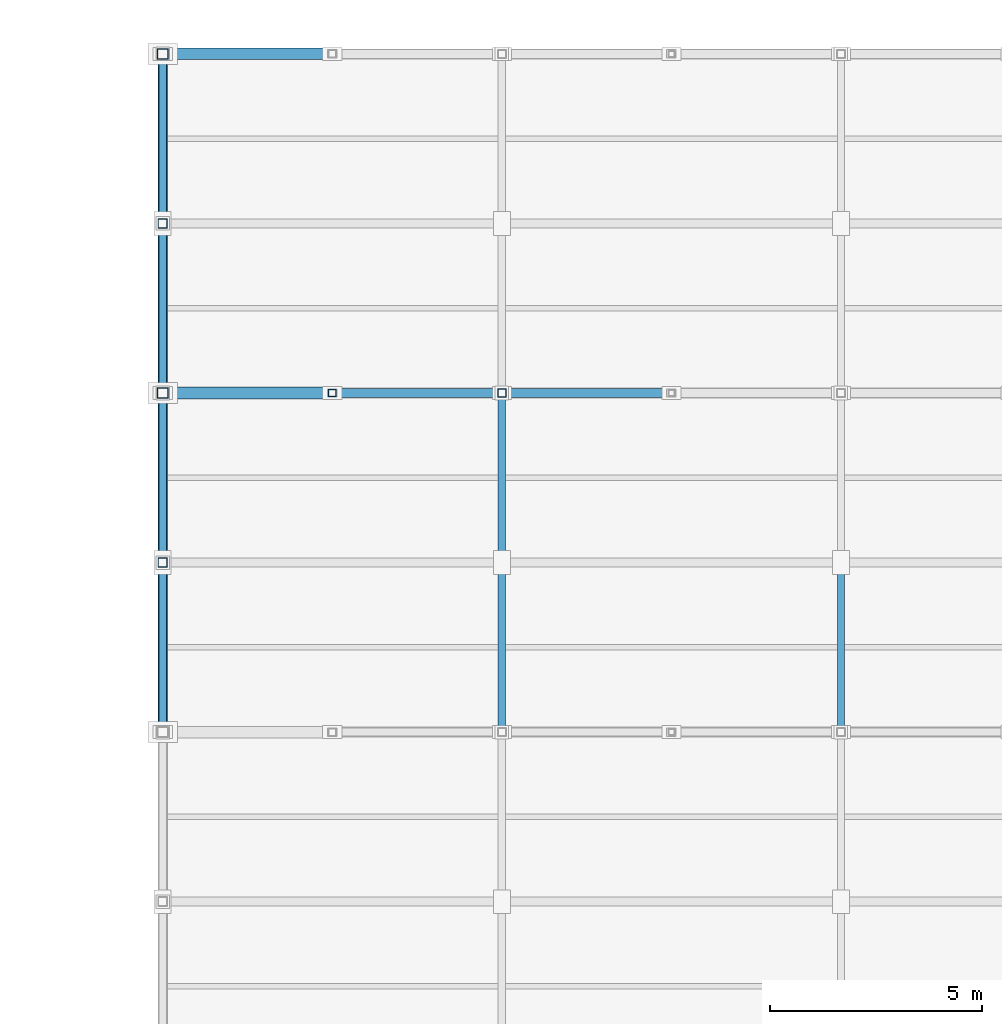
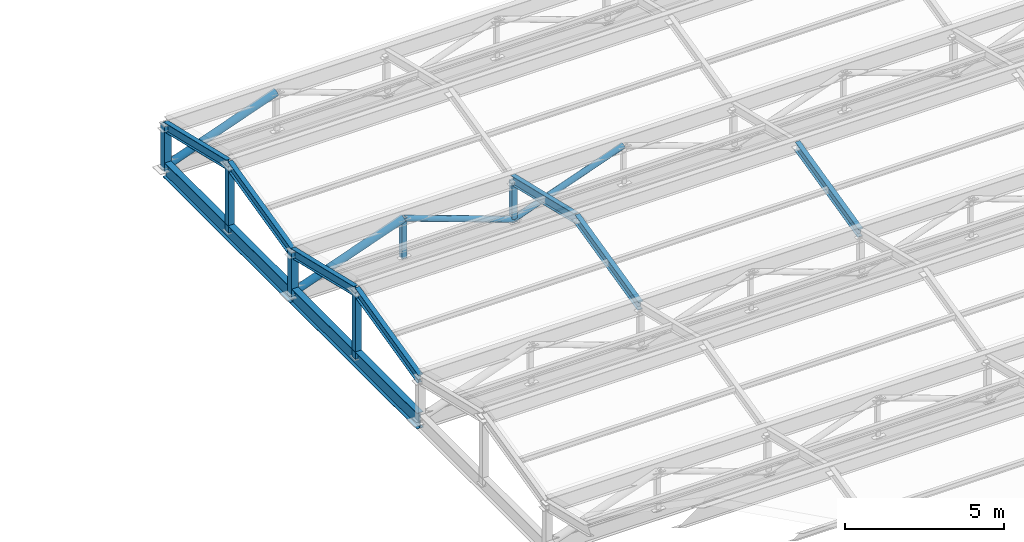
# One storey, part 57 of 112: 19 members.
"""IFC4 building model written with IfcOpenShell, lengths in metres."""

import ifcopenshell
import ifcopenshell.guid

model = None  # the IFC model being written
_history = None  # IfcOwnerHistory: only IFC2X3 demands one
_inside = {}  # id of a spatial element -> (the spatial element, [elements in it])
_under = {}  # id of a project, library or spatial element -> (it, [spatial elements below it])
_declared = {}  # id of a project -> (the project, [libraries it declares])
_typed = {}  # id of a type object -> (the type object, [elements of that type])
_made_of = {}  # id of a material, layer set ... -> (it, [elements and type objects made of it])


def new_model(schema):
    """Start an empty IFC model of exactly this schema.

    Asked for "IFC4X3", IfcOpenShell would pick the latest addendum, in which some entities
    have other attributes; the version numbers below select the first issue.
    IFC2X3 requires an IfcOwnerHistory on every rooted entity: one is made here for all.
    """
    global model, _history
    if schema == "IFC4X3":
        model = ifcopenshell.file(schema_version=(4, 3, 0, 0))
    else:
        model = ifcopenshell.file(schema=schema)
    _inside.clear()
    _under.clear()
    _declared.clear()
    _typed.clear()
    _made_of.clear()
    _history = None
    if model.schema == "IFC2X3":
        org = make("IfcOrganization", Name="unknown")
        user = make(
            "IfcPersonAndOrganization",
            ThePerson=make("IfcPerson", FamilyName="unknown"),
            TheOrganization=org,
        )
        app = make(
            "IfcApplication",
            ApplicationDeveloper=org,
            Version="unknown",
            ApplicationFullName="unknown",
            ApplicationIdentifier="unknown",
        )
        _history = make(
            "IfcOwnerHistory",
            OwningUser=user,
            OwningApplication=app,
            ChangeAction="ADDED",
            CreationDate=0,
        )
    return model


def make(cls, **values):
    """One entity of the class cls with the attributes given. An attribute that is None is left unset."""
    return model.create_entity(
        cls, **{name: value for name, value in values.items() if value is not None}
    )


def rooted(cls, **values):
    """An entity with a GlobalId (a new one), such as an element, a storey or a relation."""
    return make(cls, GlobalId=ifcopenshell.guid.new(), OwnerHistory=_history, **values)


def si_unit(unit_type, name, prefix=None):
    """IfcSIUnit, for example si_unit("LENGTHUNIT", "METRE", prefix="MILLI")."""
    return make("IfcSIUnit", UnitType=unit_type, Prefix=prefix, Name=name)


def assignment(units):
    """IfcUnitAssignment: the units of a project."""
    return None if units is None else make("IfcUnitAssignment", Units=units)


def point(xyz):
    """IfcCartesianPoint."""
    return None if xyz is None else make("IfcCartesianPoint", Coordinates=xyz)


def direction(xyz):
    """IfcDirection."""
    return None if xyz is None else make("IfcDirection", DirectionRatios=xyz)


def frame(location, z_axis=None, x_axis=None):
    """IfcAxis2Placement3D, a coordinate frame: its origin and axes. An axis left out is left unset."""
    return make(
        "IfcAxis2Placement3D",
        Location=point(location),
        Axis=direction(z_axis),
        RefDirection=direction(x_axis),
    )


def frame_2d(location, x_axis=None):
    """IfcAxis2Placement2D, a coordinate frame in the plane: its origin and x axis."""
    return make(
        "IfcAxis2Placement2D", Location=point(location), RefDirection=direction(x_axis)
    )


def origin():
    """The frame at (0, 0, 0) with its axes left unset."""
    return frame((0.0, 0.0, 0.0))


def origin_2d():
    """The frame at (0, 0) in the plane with its x axis left unset."""
    return frame_2d((0.0, 0.0))


def place(relative_to, where):
    """IfcLocalPlacement: puts the frame where relative to a parent placement (None: the world)."""
    return make(
        "IfcLocalPlacement", PlacementRelTo=relative_to, RelativePlacement=where
    )


def context(
    kind, dimensions, precision=None, world=None, true_north=None, identifier=None
):
    """IfcGeometricRepresentationContext, for example the 3D "Model" context."""
    return make(
        "IfcGeometricRepresentationContext",
        ContextIdentifier=identifier,
        ContextType=kind,
        CoordinateSpaceDimension=dimensions,
        Precision=precision,
        WorldCoordinateSystem=world,
        TrueNorth=true_north,
    )


def subcontext(parent, identifier, kind, view, scale=None):
    """IfcGeometricRepresentationSubContext, for example "Body" below "Model"."""
    return make(
        "IfcGeometricRepresentationSubContext",
        ContextIdentifier=identifier,
        ContextType=kind,
        ParentContext=parent,
        TargetScale=scale,
        TargetView=view,
    )


def project(units=None, contexts=None):
    """IfcProject with its units and contexts."""
    return rooted(
        "IfcProject",
        Name="project",
        RepresentationContexts=contexts,
        UnitsInContext=assignment(units),
    )


def spatial(cls, under=None, at=None, **own):
    """A site, building, storey or space (cls), placed at a placement, below another one or the project."""
    s = rooted(cls, ObjectPlacement=at, **own)
    if under is not None:
        _under.setdefault(under.id(), (under, []))[1].append(s)
    return s


def profile(cls, at=None, kind="AREA", **sizes):
    """A parametric profile (cls). Its sizes go by their IFC names, for example OverallWidth=200.0."""
    return make(cls, ProfileType=kind, Position=at, **sizes)


def hollow_rectangle(**sizes):
    """IfcRectangleHollowProfileDef."""
    return profile("IfcRectangleHollowProfileDef", **sizes)


def hollow_circle(**sizes):
    """IfcCircleHollowProfileDef."""
    return profile("IfcCircleHollowProfileDef", **sizes)


def i_section(**sizes):
    """IfcIShapeProfileDef."""
    return profile("IfcIShapeProfileDef", **sizes)


def extrude(swept, where, along, depth):
    """IfcExtrudedAreaSolid: the profile swept, set in the frame where, extruded along a direction by depth."""
    return make(
        "IfcExtrudedAreaSolid",
        SweptArea=swept,
        Position=where,
        ExtrudedDirection=direction(along),
        Depth=depth,
    )


def shape(context_of_items, identifier, shape_type, items):
    """IfcShapeRepresentation: the items that make up one representation, for example the "Body"."""
    return make(
        "IfcShapeRepresentation",
        ContextOfItems=context_of_items,
        RepresentationIdentifier=identifier,
        RepresentationType=shape_type,
        Items=items,
    )


def material(Name=None, Category=None):
    """IfcMaterial."""
    return make("IfcMaterial", Name=Name, Category=Category)


def material_profile(
    of_material, cross_section, Name=None, Category=None, Priority=None
):
    """IfcMaterialProfile: a cross section and its material."""
    return make(
        "IfcMaterialProfile",
        Name=Name,
        Material=of_material,
        Profile=cross_section,
        Priority=Priority,
        Category=Category,
    )


def profile_set(profiles, Name=None, composite=None):
    """IfcMaterialProfileSet."""
    return make(
        "IfcMaterialProfileSet",
        Name=Name,
        MaterialProfiles=profiles,
        CompositeProfile=composite,
    )


def made_of(thing, what):
    """Note that an element or type object is made of a material, layer set ...; save() writes the relation."""
    if what is not None:
        _made_of.setdefault(what.id(), (what, []))[1].append(thing)
    return thing


def type_object(cls, material=None, **own):
    """A type object (cls), such as IfcWallType, which elements share."""
    return made_of(rooted(cls, **own), material)


def element(
    cls,
    number,
    at=None,
    inside=None,
    cuts=None,
    type_object=None,
    material=None,
    context=None,
    identifier="Body",
    shape_type=None,
    held_by="IfcProductDefinitionShape",
    body=None,
    shapes=None,
    **own,
):
    """One element of the class cls, such as IfcWall. Its Tag is "e" and its number.

    at: its placement. inside: the storey or other place that contains it. cuts: it is an
    opening in that element (IfcRelVoidsElement). A single representation is given by context,
    identifier, shape_type and body (its items); several are given by shapes. held_by: the class
    of the entity that holds the representations. save() writes the other relations.
    """
    e = rooted(cls, Tag="e%d" % number, ObjectPlacement=at, **own)
    if body is not None:
        shapes = [shape(context, identifier, shape_type, body)]
    if shapes is not None:
        e.Representation = make(held_by, Representations=shapes)
    if inside is not None:
        _inside.setdefault(inside.id(), (inside, []))[1].append(e)
    if cuts is not None:
        rooted(
            "IfcRelVoidsElement", RelatingBuildingElement=cuts, RelatedOpeningElement=e
        )
    if type_object is not None:
        _typed.setdefault(type_object.id(), (type_object, []))[1].append(e)
    return made_of(e, material)


def aggregate(whole, parts):
    """IfcRelAggregates: a whole, such as a stair, and the parts it consists of."""
    return rooted("IfcRelAggregates", RelatingObject=whole, RelatedObjects=parts)


def save(model, path):
    """Write the relations noted so far, then the file.

    IfcRelAggregates (storeys below a building ...), IfcRelContainedInSpatialStructure (elements
    in a storey), IfcRelDefinesByType, IfcRelAssociatesMaterial and IfcRelDeclares: one each for
    every whole, place, type object, material and project.
    """
    for whole, parts in _under.values():
        aggregate(whole, parts)
    for where, things in _inside.values():
        rooted(
            "IfcRelContainedInSpatialStructure",
            RelatedElements=things,
            RelatingStructure=where,
        )
    for kind, things in _typed.values():
        rooted("IfcRelDefinesByType", RelatedObjects=things, RelatingType=kind)
    for what, things in _made_of.values():
        rooted("IfcRelAssociatesMaterial", RelatedObjects=things, RelatingMaterial=what)
    for by, libraries in _declared.values():
        rooted("IfcRelDeclares", RelatingContext=by, RelatedDefinitions=libraries)
    model.write(path)


model = new_model("IFC4")

# Units and contexts
model_context = context("Model", 3, precision=1e-05, world=origin(), true_north=direction((0.0, 1.0)))
body_context = subcontext(model_context, "Body", "Model", "MODEL_VIEW")
ifc_project = project(units=[si_unit("LENGTHUNIT", "METRE"), si_unit("AREAUNIT", "SQUARE_METRE"), si_unit("VOLUMEUNIT", "CUBIC_METRE"), si_unit("PLANEANGLEUNIT", "RADIAN"), si_unit("MASSUNIT", "GRAM", prefix="KILO")], contexts=[model_context])

# Site, building, storey
site_placement = place(None, origin())
site = spatial("IfcSite", under=ifc_project, at=site_placement, CompositionType="ELEMENT")
building_placement = place(site_placement, origin())
building = spatial("IfcBuilding", under=site, at=building_placement, Name="Celadon Cloister-Ring School", CompositionType="ELEMENT")
storey_placement = place(building_placement, frame((0.0, 0.0, 8.5)))
storey = spatial("IfcBuildingStorey", under=building, at=storey_placement, Name="L02", CompositionType="ELEMENT", Elevation=8.5)

# Members
ifc_material_1 = material(Name="Structural steel S355JR", Category="steel")
ifc_material_profile_1 = material_profile(ifc_material_1, hollow_rectangle(XDim=0.25, YDim=0.25, WallThickness=0.010009765625, at=origin_2d()), Name="HSS250X250X10")
ifc_profile_set_1 = profile_set([ifc_material_profile_1], Name="Structural steel S355JR")
member_type_1 = type_object("IfcMemberType", Name="MB-01", PredefinedType="BRACE", material=ifc_profile_set_1)
for number, where, z_axis, x_axis, name in (
    (1, (142.0, 106.0, 0.85009765625), (0.0, 0.0, 1.0), (1.0, 0.0, 0.0), "Structural Member 0469"),
    (2, (142.0, 114.0, 0.85009765625), (0.0, 0.0, 1.0), (1.0, 0.0, 0.0), "Structural Member 0488"),
):
    element("IfcMember", number, at=place(storey_placement, frame(where, z_axis=z_axis, x_axis=x_axis)), inside=storey, type_object=member_type_1, Name=name, PredefinedType="BRACE", context=body_context, shape_type="SweptSolid", body=[
        extrude(hollow_rectangle(XDim=0.25, YDim=0.25, WallThickness=0.010009765625, at=origin_2d()), origin(), (0.0, 0.0, 1.0), 1.75),
    ])
ifc_material_2 = material(Name="Structural steel S355JR", Category="steel")
ifc_material_profile_2 = material_profile(ifc_material_2, hollow_rectangle(XDim=0.219970703125, YDim=0.219970703125, WallThickness=0.010009765625, at=origin_2d()), Name="HSS220X220X10")
ifc_profile_set_2 = profile_set([ifc_material_profile_2], Name="Structural steel S355JR")
member_type_2 = type_object("IfcMemberType", Name="MB-02", PredefinedType="BRACE", material=ifc_profile_set_2)
for number, where, z_axis, x_axis, name in (
    (3, (142.0, 102.0, 0.919921875), (0.0, 0.0, 1.0), (1.0, 0.0, 0.0), "Structural Member 0552"),
    (4, (142.0, 110.0, 0.919921875), (0.0, 0.0, 1.0), (1.0, 0.0, 0.0), "Structural Member 0567"),
):
    element("IfcMember", number, at=place(storey_placement, frame(where, z_axis=z_axis, x_axis=x_axis)), inside=storey, type_object=member_type_2, Name=name, PredefinedType="BRACE", context=body_context, shape_type="SweptSolid", body=[
        extrude(hollow_rectangle(XDim=0.219970703125, YDim=0.219970703125, WallThickness=0.010009765625, at=origin_2d()), origin(), (0.0, 0.0, 1.0), 2.580078125),
    ])
ifc_material_3 = material(Name="Structural steel S355JR", Category="steel")
ifc_material_profile_3 = material_profile(ifc_material_3, hollow_rectangle(XDim=0.199951171875, YDim=0.199951171875, WallThickness=0.010009765625, at=origin_2d()), Name="HSS200X200X10")
ifc_profile_set_3 = profile_set([ifc_material_profile_3], Name="Structural steel S355JR")
member_type_3 = type_object("IfcMemberType", Name="MB-03", PredefinedType="BRACE", material=ifc_profile_set_3)
member_1_placement = place(storey_placement, frame((150.0, 106.0, 0.919921875), z_axis=(0.0, 0.0, 1.0), x_axis=(1.0, 0.0, 0.0)))
element("IfcMember", 5, at=member_1_placement, inside=storey, type_object=member_type_3, Name="Structural Member 0475", PredefinedType="BRACE", context=body_context, shape_type="SweptSolid", body=[
    extrude(hollow_rectangle(XDim=0.199951171875, YDim=0.199951171875, WallThickness=0.010009765625, at=origin_2d()), origin(), (0.0, 0.0, 1.0), 1.56005859375),
])
ifc_material_4 = material(Name="Structural steel S355JR", Category="steel")
ifc_material_profile_4 = material_profile(ifc_material_4, hollow_rectangle(XDim=0.179931640625, YDim=0.179931640625, WallThickness=0.008056640625, at=origin_2d()), Name="HSS180X180X8")
ifc_profile_set_4 = profile_set([ifc_material_profile_4], Name="Structural steel S355JR")
member_type_4 = type_object("IfcMemberType", Name="MB-04", PredefinedType="BRACE", material=ifc_profile_set_4)
member_2_placement = place(storey_placement, frame((146.0, 106.0, 0.919921875), z_axis=(0.0, 0.0, 1.0), x_axis=(1.0, 0.0, 0.0)))
element("IfcMember", 6, at=member_2_placement, inside=storey, type_object=member_type_4, Name="Structural Member 0473", PredefinedType="BRACE", context=body_context, shape_type="SweptSolid", body=[
    extrude(hollow_rectangle(XDim=0.179931640625, YDim=0.179931640625, WallThickness=0.008056640625, at=origin_2d()), origin(), (0.0, 0.0, 1.0), 1.56005859375),
])
ifc_material_5 = material(Name="Structural steel S355JR", Category="steel")
ifc_material_profile_5 = material_profile(ifc_material_5, hollow_circle(Radius=0.136474609375, WallThickness=0.010009765625, at=origin_2d()), Name="CHS273.0X10")
ifc_profile_set_5 = profile_set([ifc_material_profile_5], Name="Structural steel S355JR")
member_type_5 = type_object("IfcMemberType", Name="MB-07", PredefinedType="BRACE", material=ifc_profile_set_5)
for number, where, z_axis, x_axis, name in (
    (7, (142.0, 106.0, 0.97998046875), (0.94089180426, 0.0, 0.338707266939), (0.0, 1.0, 0.0), "Structural Member 0480"),
    (8, (142.0, 114.0, 0.97998046875), (0.94089180426, 0.0, 0.338707266939), (0.0, 1.0, 0.0), "Structural Member 0499"),
):
    element("IfcMember", number, at=place(storey_placement, frame(where, z_axis=z_axis, x_axis=x_axis)), inside=storey, type_object=member_type_5, Name=name, PredefinedType="BRACE", context=body_context, shape_type="SweptSolid", body=[
        extrude(hollow_circle(Radius=0.136474609375, WallThickness=0.010009765625, at=origin_2d()), origin(), (0.0, 0.0, 1.0), 4.251220703125),
    ])
ifc_material_6 = material(Name="Structural steel S355JR", Category="steel")
ifc_material_profile_6 = material_profile(ifc_material_6, hollow_circle(Radius=0.109619140625, WallThickness=0.010009765625, at=origin_2d()), Name="CHS219.1X10")
ifc_profile_set_6 = profile_set([ifc_material_profile_6], Name="Structural steel S355JR")
member_type_6 = type_object("IfcMemberType", Name="MB-08", PredefinedType="BRACE", material=ifc_profile_set_6)
for number, where, z_axis, x_axis, name in (
    (9, (146.0, 106.0, 2.419921875), (0.94089180426, 0.0, -0.338707266939), (0.0, 1.0, 0.0), "Structural Member 0481"),
    (10, (150.0, 106.0, 0.97998046875), (0.94089180426, 0.0, 0.338707266939), (0.0, 1.0, 0.0), "Structural Member 0482"),
):
    element("IfcMember", number, at=place(storey_placement, frame(where, z_axis=z_axis, x_axis=x_axis)), inside=storey, type_object=member_type_6, Name=name, PredefinedType="BRACE", context=body_context, shape_type="SweptSolid", body=[
        extrude(hollow_circle(Radius=0.109619140625, WallThickness=0.010009765625, at=origin_2d()), origin(), (0.0, 0.0, 1.0), 4.251220703125),
    ])
ifc_material_7 = material(Name="Structural steel S355JR", Category="steel")
ifc_material_profile_7 = material_profile(ifc_material_7, i_section(OverallWidth=0.22900390625, OverallDepth=0.612060546875, WebThickness=0.011962890625, FlangeThickness=0.01953125, at=origin_2d()), Name="W610X125")
ifc_profile_set_7 = profile_set([ifc_material_profile_7], Name="Structural steel S355JR")
member_type_7 = type_object("IfcMemberType", Name="MC-01", PredefinedType="CHORD", material=ifc_profile_set_7)
for number, where, z_axis, x_axis, name in (
    (11, (142.0, 98.0, 0.89990234375), (0.0, 1.0, 0.0), (-1.0, 0.0, 0.0), "Structural Member 0389"),
    (12, (142.0, 106.0, 0.89990234375), (0.0, 1.0, 0.0), (-1.0, 0.0, 0.0), "Structural Member 0391"),
):
    element("IfcMember", number, at=place(storey_placement, frame(where, z_axis=z_axis, x_axis=x_axis)), inside=storey, type_object=member_type_7, Name=name, PredefinedType="CHORD", context=body_context, shape_type="SweptSolid", body=[
        extrude(i_section(OverallWidth=0.22900390625, OverallDepth=0.612060546875, WebThickness=0.011962890625, FlangeThickness=0.01953125, at=origin_2d()), origin(), (0.0, 0.0, 1.0), 8.0),
    ])
ifc_material_8 = material(Name="Structural steel S355JR", Category="steel")
ifc_material_profile_8 = material_profile(ifc_material_8, i_section(OverallWidth=0.1708984375, OverallDepth=0.35498046875, WebThickness=0.007080078125, FlangeThickness=0.01171875, at=origin_2d()), Name="W360X51")
ifc_profile_set_8 = profile_set([ifc_material_profile_8], Name="Structural steel S355JR")
member_type_8 = type_object("IfcMemberType", Name="MR-05", PredefinedType="RAFTER", material=ifc_profile_set_8)
for number, where, z_axis, x_axis, name in (
    (13, (142.0, 98.0, 2.5), (0.0, 0.97293922076, 0.231061188231), (-1.0, 0.0, 0.0), "Structural Member 0555"),
    (14, (142.0, 102.0, 3.449951171875), (0.0, 0.97293922076, -0.231061188231), (-1.0, 0.0, 0.0), "Structural Member 0556"),
    (15, (150.0, 98.0, 2.5), (0.0, 0.97293922076, 0.231061188231), (-1.0, 0.0, 0.0), "Structural Member 0557"),
    (16, (150.0, 102.0, 3.449951171875), (0.0, 0.97293922076, -0.231061188231), (-1.0, 0.0, 0.0), "Structural Member 0558"),
    (17, (158.0, 98.0, 2.5), (0.0, 0.97293922076, 0.231061188231), (-1.0, 0.0, 0.0), "Structural Member 0559"),
    (18, (142.0, 106.0, 2.5), (0.0, 0.97293922076, 0.231061188231), (-1.0, 0.0, 0.0), "Structural Member 0570"),
    (19, (142.0, 110.0, 3.449951171875), (0.0, 0.97293922076, -0.231061188231), (-1.0, 0.0, 0.0), "Structural Member 0571"),
):
    element("IfcMember", number, at=place(storey_placement, frame(where, z_axis=z_axis, x_axis=x_axis)), inside=storey, type_object=member_type_8, Name=name, PredefinedType="RAFTER", context=body_context, shape_type="SweptSolid", body=[
        extrude(i_section(OverallWidth=0.1708984375, OverallDepth=0.35498046875, WebThickness=0.007080078125, FlangeThickness=0.01171875, at=origin_2d()), origin(), (0.0, 0.0, 1.0), 4.111328125),
    ])

save(model, "model.ifc")
